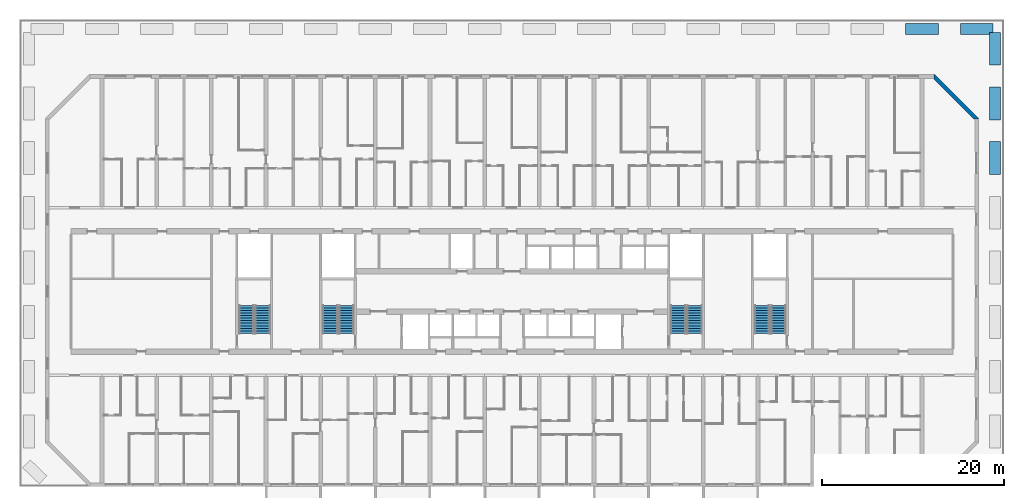
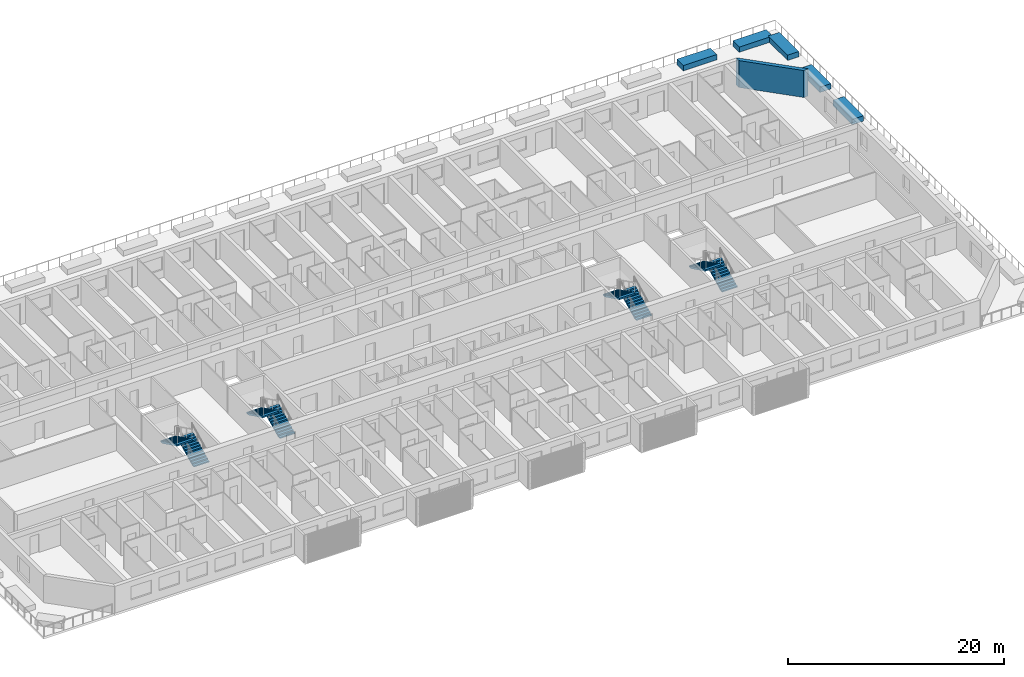
# One storey, part 19 of 23: 8 stair flights, 6 walls, 4 elements without a shape of their own.
"""IFC4 building model written with IfcOpenShell, lengths in metres."""

import ifcopenshell
import ifcopenshell.guid

model = None  # the IFC model being written
_history = None  # IfcOwnerHistory: only IFC2X3 demands one
_inside = {}  # id of a spatial element -> (the spatial element, [elements in it])
_under = {}  # id of a project, library or spatial element -> (it, [spatial elements below it])
_declared = {}  # id of a project -> (the project, [libraries it declares])
_typed = {}  # id of a type object -> (the type object, [elements of that type])
_made_of = {}  # id of a material, layer set ... -> (it, [elements and type objects made of it])


def new_model(schema):
    """Start an empty IFC model of exactly this schema.

    Asked for "IFC4X3", IfcOpenShell would pick the latest addendum, in which some entities
    have other attributes; the version numbers below select the first issue.
    IFC2X3 requires an IfcOwnerHistory on every rooted entity: one is made here for all.
    """
    global model, _history
    if schema == "IFC4X3":
        model = ifcopenshell.file(schema_version=(4, 3, 0, 0))
    else:
        model = ifcopenshell.file(schema=schema)
    _inside.clear()
    _under.clear()
    _declared.clear()
    _typed.clear()
    _made_of.clear()
    _history = None
    if model.schema == "IFC2X3":
        org = make("IfcOrganization", Name="unknown")
        user = make(
            "IfcPersonAndOrganization",
            ThePerson=make("IfcPerson", FamilyName="unknown"),
            TheOrganization=org,
        )
        app = make(
            "IfcApplication",
            ApplicationDeveloper=org,
            Version="unknown",
            ApplicationFullName="unknown",
            ApplicationIdentifier="unknown",
        )
        _history = make(
            "IfcOwnerHistory",
            OwningUser=user,
            OwningApplication=app,
            ChangeAction="ADDED",
            CreationDate=0,
        )
    return model


def make(cls, **values):
    """One entity of the class cls with the attributes given. An attribute that is None is left unset."""
    return model.create_entity(
        cls, **{name: value for name, value in values.items() if value is not None}
    )


def rooted(cls, **values):
    """An entity with a GlobalId (a new one), such as an element, a storey or a relation."""
    return make(cls, GlobalId=ifcopenshell.guid.new(), OwnerHistory=_history, **values)


def si_unit(unit_type, name, prefix=None):
    """IfcSIUnit, for example si_unit("LENGTHUNIT", "METRE", prefix="MILLI")."""
    return make("IfcSIUnit", UnitType=unit_type, Prefix=prefix, Name=name)


def assignment(units):
    """IfcUnitAssignment: the units of a project."""
    return None if units is None else make("IfcUnitAssignment", Units=units)


def point(xyz):
    """IfcCartesianPoint."""
    return None if xyz is None else make("IfcCartesianPoint", Coordinates=xyz)


def direction(xyz):
    """IfcDirection."""
    return None if xyz is None else make("IfcDirection", DirectionRatios=xyz)


def frame(location, z_axis=None, x_axis=None):
    """IfcAxis2Placement3D, a coordinate frame: its origin and axes. An axis left out is left unset."""
    return make(
        "IfcAxis2Placement3D",
        Location=point(location),
        Axis=direction(z_axis),
        RefDirection=direction(x_axis),
    )


def origin():
    """The frame at (0, 0, 0) with its axes left unset."""
    return frame((0.0, 0.0, 0.0))


def place(relative_to, where):
    """IfcLocalPlacement: puts the frame where relative to a parent placement (None: the world)."""
    return make(
        "IfcLocalPlacement", PlacementRelTo=relative_to, RelativePlacement=where
    )


def context(
    kind, dimensions, precision=None, world=None, true_north=None, identifier=None
):
    """IfcGeometricRepresentationContext, for example the 3D "Model" context."""
    return make(
        "IfcGeometricRepresentationContext",
        ContextIdentifier=identifier,
        ContextType=kind,
        CoordinateSpaceDimension=dimensions,
        Precision=precision,
        WorldCoordinateSystem=world,
        TrueNorth=true_north,
    )


def subcontext(parent, identifier, kind, view, scale=None):
    """IfcGeometricRepresentationSubContext, for example "Body" below "Model"."""
    return make(
        "IfcGeometricRepresentationSubContext",
        ContextIdentifier=identifier,
        ContextType=kind,
        ParentContext=parent,
        TargetScale=scale,
        TargetView=view,
    )


def project(units=None, contexts=None):
    """IfcProject with its units and contexts."""
    return rooted(
        "IfcProject",
        Name="project",
        RepresentationContexts=contexts,
        UnitsInContext=assignment(units),
    )


def spatial(cls, under=None, at=None, **own):
    """A site, building, storey or space (cls), placed at a placement, below another one or the project."""
    s = rooted(cls, ObjectPlacement=at, **own)
    if under is not None:
        _under.setdefault(under.id(), (under, []))[1].append(s)
    return s


def polyline(points):
    """IfcPolyline through the points."""
    return make("IfcPolyline", Points=[point(p) for p in points])


def outline(outer, holes=None, kind="AREA"):
    """IfcArbitraryClosedProfileDef: a profile drawn as a closed curve; with holes, ...WithVoids."""
    if holes is None:
        return make("IfcArbitraryClosedProfileDef", ProfileType=kind, OuterCurve=outer)
    return make(
        "IfcArbitraryProfileDefWithVoids",
        ProfileType=kind,
        OuterCurve=outer,
        InnerCurves=holes,
    )


def extrude(swept, where, along, depth):
    """IfcExtrudedAreaSolid: the profile swept, set in the frame where, extruded along a direction by depth."""
    return make(
        "IfcExtrudedAreaSolid",
        SweptArea=swept,
        Position=where,
        ExtrudedDirection=direction(along),
        Depth=depth,
    )


def shape(context_of_items, identifier, shape_type, items):
    """IfcShapeRepresentation: the items that make up one representation, for example the "Body"."""
    return make(
        "IfcShapeRepresentation",
        ContextOfItems=context_of_items,
        RepresentationIdentifier=identifier,
        RepresentationType=shape_type,
        Items=items,
    )


def source(mapping_origin, context_of_items, identifier, shape_type, items):
    """IfcRepresentationMap: a shape defined once, which mapped items show again and again."""
    return make(
        "IfcRepresentationMap",
        MappingOrigin=mapping_origin,
        MappedRepresentation=shape(context_of_items, identifier, shape_type, items),
    )


def transform(
    local_origin,
    x_axis=None,
    y_axis=None,
    z_axis=None,
    scale=None,
    scale2=None,
    scale3=None,
    uniform=True,
):
    """IfcCartesianTransformationOperator3D, or its non-uniform kind. x_axis, y_axis, z_axis: its Axis1, 2, 3."""
    if uniform:
        return make(
            "IfcCartesianTransformationOperator3D",
            Axis1=direction(x_axis),
            Axis2=direction(y_axis),
            LocalOrigin=point(local_origin),
            Scale=scale,
            Axis3=direction(z_axis),
        )
    return make(
        "IfcCartesianTransformationOperator3DnonUniform",
        Axis1=direction(x_axis),
        Axis2=direction(y_axis),
        LocalOrigin=point(local_origin),
        Scale=scale,
        Axis3=direction(z_axis),
        Scale2=scale2,
        Scale3=scale3,
    )


def mapped(mapping_source, mapping_target):
    """IfcMappedItem: shows the shape of a source again, moved by a transform."""
    return make(
        "IfcMappedItem", MappingSource=mapping_source, MappingTarget=mapping_target
    )


def material(Name=None, Category=None):
    """IfcMaterial."""
    return make("IfcMaterial", Name=Name, Category=Category)


def layer(
    of_material, thickness, ventilated=None, Name=None, Category=None, Priority=None
):
    """IfcMaterialLayer: one layer of a wall or slab, of a material (None: an air gap)."""
    return make(
        "IfcMaterialLayer",
        Material=of_material,
        LayerThickness=thickness,
        IsVentilated=ventilated,
        Name=Name,
        Category=Category,
        Priority=Priority,
    )


def layer_set(layers, Name=None):
    """IfcMaterialLayerSet."""
    return make("IfcMaterialLayerSet", MaterialLayers=layers, LayerSetName=Name)


def made_of(thing, what):
    """Note that an element or type object is made of a material, layer set ...; save() writes the relation."""
    if what is not None:
        _made_of.setdefault(what.id(), (what, []))[1].append(thing)
    return thing


def type_object(cls, material=None, **own):
    """A type object (cls), such as IfcWallType, which elements share."""
    return made_of(rooted(cls, **own), material)


def element(
    cls,
    number,
    at=None,
    inside=None,
    cuts=None,
    type_object=None,
    material=None,
    context=None,
    identifier="Body",
    shape_type=None,
    held_by="IfcProductDefinitionShape",
    body=None,
    shapes=None,
    **own,
):
    """One element of the class cls, such as IfcWall. Its Tag is "e" and its number.

    at: its placement. inside: the storey or other place that contains it. cuts: it is an
    opening in that element (IfcRelVoidsElement). A single representation is given by context,
    identifier, shape_type and body (its items); several are given by shapes. held_by: the class
    of the entity that holds the representations. save() writes the other relations.
    """
    e = rooted(cls, Tag="e%d" % number, ObjectPlacement=at, **own)
    if body is not None:
        shapes = [shape(context, identifier, shape_type, body)]
    if shapes is not None:
        e.Representation = make(held_by, Representations=shapes)
    if inside is not None:
        _inside.setdefault(inside.id(), (inside, []))[1].append(e)
    if cuts is not None:
        rooted(
            "IfcRelVoidsElement", RelatingBuildingElement=cuts, RelatedOpeningElement=e
        )
    if type_object is not None:
        _typed.setdefault(type_object.id(), (type_object, []))[1].append(e)
    return made_of(e, material)


def aggregate(whole, parts):
    """IfcRelAggregates: a whole, such as a stair, and the parts it consists of."""
    return rooted("IfcRelAggregates", RelatingObject=whole, RelatedObjects=parts)


def save(model, path):
    """Write the relations noted so far, then the file.

    IfcRelAggregates (storeys below a building ...), IfcRelContainedInSpatialStructure (elements
    in a storey), IfcRelDefinesByType, IfcRelAssociatesMaterial and IfcRelDeclares: one each for
    every whole, place, type object, material and project.
    """
    for whole, parts in _under.values():
        aggregate(whole, parts)
    for where, things in _inside.values():
        rooted(
            "IfcRelContainedInSpatialStructure",
            RelatedElements=things,
            RelatingStructure=where,
        )
    for kind, things in _typed.values():
        rooted("IfcRelDefinesByType", RelatedObjects=things, RelatingType=kind)
    for what, things in _made_of.values():
        rooted("IfcRelAssociatesMaterial", RelatedObjects=things, RelatingMaterial=what)
    for by, libraries in _declared.values():
        rooted("IfcRelDeclares", RelatingContext=by, RelatedDefinitions=libraries)
    model.write(path)


model = new_model("IFC4")

# Units and contexts
model_context = context("Model", 3, precision=1e-05, world=origin(), true_north=direction((0.0, 1.0)))
body_context = subcontext(model_context, "Body", "Model", "MODEL_VIEW")
ifc_project = project(units=[si_unit("LENGTHUNIT", "METRE"), si_unit("AREAUNIT", "SQUARE_METRE"), si_unit("VOLUMEUNIT", "CUBIC_METRE"), si_unit("PLANEANGLEUNIT", "RADIAN"), si_unit("MASSUNIT", "GRAM", prefix="KILO")], contexts=[model_context])

# Site, building, storey
site_placement = place(None, origin())
site = spatial("IfcSite", under=ifc_project, at=site_placement, CompositionType="ELEMENT")
building_placement = place(site_placement, origin())
building = spatial("IfcBuilding", under=site, at=building_placement, Name="Poui Terraces", CompositionType="ELEMENT")
storey_placement = place(building_placement, frame((0.0, 0.0, 23.39990234375)))
storey = spatial("IfcBuildingStorey", under=building, at=storey_placement, Name="L05", CompositionType="ELEMENT", Elevation=23.39990234375)

# Walls
ifc_material_1 = material(Name="Precast concrete 40 MPa", Category="concrete")
ifc_layer_1 = layer(ifc_material_1, 0.39990234375)
ifc_layer_set_1 = layer_set([ifc_layer_1], Name="Precast concrete 40 MPa")
wall_type_1 = type_object("IfcWallType", Name="TERRACOTTA CLAD CHAMFER WALL 400", PredefinedType="STANDARD", material=ifc_layer_set_1)
wall_placement = place(storey_placement, origin())
element("IfcWall", 1, at=wall_placement, inside=storey, type_object=wall_type_1, Name="CHAMFER WALL CH03", PredefinedType="STANDARD", context=body_context, shape_type="SweptSolid", body=[
    extrude(outline(polyline([(102.199951171875, 40.1171875), (102.199951171875, 40.199951171875), (97.39990234375, 45.0), (97.317138671875, 45.0), (97.317138671875, 44.51708984375), (101.71728515625, 40.1171875), (102.199951171875, 40.1171875)])), origin(), (0.0, 0.0, 1.0), 3.050048828125),
])
ifc_layer_2 = layer(ifc_material_1, 1.199951171875)
ifc_layer_set_2 = layer_set([ifc_layer_2], Name="Precast concrete 40 MPa")
wall_type_2 = type_object("IfcWallType", Name="PLANTER 600", PredefinedType="USERDEFINED", material=ifc_layer_set_2)
shared_shape_1 = source(origin(), body_context, "Body", "SweptSolid", [
    extrude(outline(polyline([(0.0, 0.0), (3.60009765625, 0.0), (3.60009765625, 1.2001953125), (0.0, 1.2001953125), (0.0, 0.0)])), origin(), (0.0, 0.0, 1.0), 0.60009765625),
])
for number, where, name in (
    (2, (94.199951171875, 49.419921875, 0.0), "PLANTER"),
    (3, (100.199951171875, 49.419921875, 0.0), "PLANTER"),
):
    element("IfcWall", number, at=place(storey_placement, frame(where)), inside=storey, type_object=wall_type_2, Name=name, ObjectType="PLANTER", PredefinedType="USERDEFINED", context=body_context, shape_type="MappedRepresentation", body=[
        mapped(shared_shape_1, transform((0.0, 0.0, 0.0))),
    ])
shared_shape_2 = source(origin(), body_context, "Body", "SweptSolid", [
    extrude(outline(polyline([(0.0, 0.0), (1.2001953125, 0.0), (1.2001953125, 3.599853515625), (0.0, 3.599853515625), (0.0, 0.0)])), origin(), (0.0, 0.0, 1.0), 0.60009765625),
])
for number, where, name in (
    (4, (103.419921875, 46.0400390625, 0.0), "PLANTER"),
    (5, (103.419921875, 40.0400390625, 0.0), "PLANTER"),
    (6, (103.419921875, 34.0400390625, 0.0), "PLANTER"),
):
    element("IfcWall", number, at=place(storey_placement, frame(where)), inside=storey, type_object=wall_type_2, Name=name, ObjectType="PLANTER", PredefinedType="USERDEFINED", context=body_context, shape_type="MappedRepresentation", body=[
        mapped(shared_shape_2, transform((0.0, 0.0, 0.0))),
    ])

# Stair, stair flights
ifc_material_2 = material(Name="Concrete 80 MPa", Category="concrete")
stair_type = type_object("IfcStairType", Name="EXIT STAIR 1650 80 MPA", PredefinedType="HALF_TURN_STAIR", material=ifc_material_2)
stair_1_placement = place(storey_placement, origin())
stair_1 = element("IfcStair", 7, at=stair_1_placement, inside=storey, type_object=stair_type, Name="L05 CORE STAIR EAST", PredefinedType="HALF_TURN_STAIR")
ifc_layer_3 = layer(ifc_material_2, 0.14990234375)
ifc_layer_set_3 = layer_set([ifc_layer_3], Name="Concrete 80 MPa")
stair_flight_type = type_object("IfcStairFlightType", Name="STAIR FLIGHT 12 RISERS 138 RISE 80 MPA", PredefinedType="STRAIGHT", material=ifc_layer_set_3)
stair_flight_1_placement = place(storey_placement, frame((71.050048828125, 16.60009765625, 0.0), z_axis=(0.0, 0.0, 1.0), x_axis=(0.0, 1.0, 0.0)))
stair_flight_1 = element("IfcStairFlight", 8, at=stair_flight_1_placement, type_object=stair_flight_type, Name="ST-CE flight 1", NumberOfRisers=12, NumberOfTreads=11, PredefinedType="STRAIGHT", RiserHeight=0.1375, TreadLength=0.28, context=body_context, shape_type="SweptSolid", body=[
    extrude(outline(polyline([(0.0, 0.0), (0.0, 0.137451171875), (0.280029296875, 0.137451171875), (0.280029296875, 0.27490234375), (0.56005859375, 0.27490234375), (0.56005859375, 0.41259765625), (0.840087890625, 0.41259765625), (0.840087890625, 0.550048828125), (1.1201171875, 0.550048828125), (1.1201171875, 0.6875), (1.39990234375, 0.6875), (1.39990234375, 0.824951171875), (1.679931640625, 0.824951171875), (1.679931640625, 0.96240234375), (1.9599609375, 0.96240234375), (1.9599609375, 1.10009765625), (2.239990234375, 1.10009765625), (2.239990234375, 1.237548828125), (2.52001953125, 1.237548828125), (2.52001953125, 1.375), (2.800048828125, 1.375), (2.800048828125, 1.512451171875), (3.080078125, 1.512451171875), (3.080078125, 1.64990234375), (3.080078125, 1.345458984375), (0.340087890625, 0.0), (0.0, 0.0)])), frame((0.0, 0.824951171875, 0.0), z_axis=(0.0, -1.0, 0.0), x_axis=(1.0, 0.0, 0.0)), (0.0, 0.0, 1.0), 1.64990234375),
])
stair_flight_2_placement = place(storey_placement, frame((69.25, 19.679931640625, 1.650146484375), z_axis=(0.0, 0.0, 1.0), x_axis=(0.0, -1.0, 0.0)))
stair_flight_2 = element("IfcStairFlight", 9, at=stair_flight_2_placement, type_object=stair_flight_type, Name="ST-CE flight 2", NumberOfRisers=12, NumberOfTreads=11, PredefinedType="STRAIGHT", RiserHeight=0.1375, TreadLength=0.28, context=body_context, shape_type="SweptSolid", body=[
    extrude(outline(polyline([(0.0, 0.0), (0.0, 0.137451171875), (0.280029296875, 0.137451171875), (0.280029296875, 0.27490234375), (0.56005859375, 0.27490234375), (0.56005859375, 0.41259765625), (0.840087890625, 0.41259765625), (0.840087890625, 0.550048828125), (1.1201171875, 0.550048828125), (1.1201171875, 0.6875), (1.39990234375, 0.6875), (1.39990234375, 0.824951171875), (1.679931640625, 0.824951171875), (1.679931640625, 0.96240234375), (1.9599609375, 0.96240234375), (1.9599609375, 1.10009765625), (2.239990234375, 1.10009765625), (2.239990234375, 1.237548828125), (2.52001953125, 1.237548828125), (2.52001953125, 1.375), (2.800048828125, 1.375), (2.800048828125, 1.512451171875), (3.080078125, 1.512451171875), (3.080078125, 1.64990234375), (3.080078125, 1.345458984375), (0.340087890625, 0.0), (0.0, 0.0)])), frame((0.0, 0.824951171875, 0.0), z_axis=(0.0, -1.0, 0.0), x_axis=(1.0, 0.0, 0.0)), (0.0, 0.0, 1.0), 1.64990234375),
])
aggregate(stair_1, [stair_flight_1, stair_flight_2])

stair_2_placement = place(storey_placement, origin())
stair_2 = element("IfcStair", 10, at=stair_2_placement, inside=storey, type_object=stair_type, Name="L05 CORE STAIR WEST", PredefinedType="HALF_TURN_STAIR")
stair_flight_3_placement = place(storey_placement, frame((32.85009765625, 16.60009765625, 0.0), z_axis=(0.0, 0.0, 1.0), x_axis=(0.0, 1.0, 0.0)))
stair_flight_3 = element("IfcStairFlight", 11, at=stair_flight_3_placement, type_object=stair_flight_type, Name="ST-CW flight 1", NumberOfRisers=12, NumberOfTreads=11, PredefinedType="STRAIGHT", RiserHeight=0.1375, TreadLength=0.28, context=body_context, shape_type="SweptSolid", body=[
    extrude(outline(polyline([(0.0, 0.0), (0.0, 0.137451171875), (0.280029296875, 0.137451171875), (0.280029296875, 0.27490234375), (0.56005859375, 0.27490234375), (0.56005859375, 0.41259765625), (0.840087890625, 0.41259765625), (0.840087890625, 0.550048828125), (1.1201171875, 0.550048828125), (1.1201171875, 0.6875), (1.39990234375, 0.6875), (1.39990234375, 0.824951171875), (1.679931640625, 0.824951171875), (1.679931640625, 0.96240234375), (1.9599609375, 0.96240234375), (1.9599609375, 1.10009765625), (2.239990234375, 1.10009765625), (2.239990234375, 1.237548828125), (2.52001953125, 1.237548828125), (2.52001953125, 1.375), (2.800048828125, 1.375), (2.800048828125, 1.512451171875), (3.080078125, 1.512451171875), (3.080078125, 1.64990234375), (3.080078125, 1.345458984375), (0.340087890625, 0.0), (0.0, 0.0)])), frame((0.0, 0.824951171875, 0.0), z_axis=(0.0, -1.0, 0.0), x_axis=(1.0, 0.0, 0.0)), (0.0, 0.0, 1.0), 1.64990234375),
])
stair_flight_4_placement = place(storey_placement, frame((31.050048828125, 19.679931640625, 1.650146484375), z_axis=(0.0, 0.0, 1.0), x_axis=(0.0, -1.0, 0.0)))
stair_flight_4 = element("IfcStairFlight", 12, at=stair_flight_4_placement, type_object=stair_flight_type, Name="ST-CW flight 2", NumberOfRisers=12, NumberOfTreads=11, PredefinedType="STRAIGHT", RiserHeight=0.1375, TreadLength=0.28, context=body_context, shape_type="SweptSolid", body=[
    extrude(outline(polyline([(0.0, 0.0), (0.0, 0.137451171875), (0.280029296875, 0.137451171875), (0.280029296875, 0.27490234375), (0.56005859375, 0.27490234375), (0.56005859375, 0.41259765625), (0.840087890625, 0.41259765625), (0.840087890625, 0.550048828125), (1.1201171875, 0.550048828125), (1.1201171875, 0.6875), (1.39990234375, 0.6875), (1.39990234375, 0.824951171875), (1.679931640625, 0.824951171875), (1.679931640625, 0.96240234375), (1.9599609375, 0.96240234375), (1.9599609375, 1.10009765625), (2.239990234375, 1.10009765625), (2.239990234375, 1.237548828125), (2.52001953125, 1.237548828125), (2.52001953125, 1.375), (2.800048828125, 1.375), (2.800048828125, 1.512451171875), (3.080078125, 1.512451171875), (3.080078125, 1.64990234375), (3.080078125, 1.345458984375), (0.340087890625, 0.0), (0.0, 0.0)])), frame((0.0, 0.824951171875, 0.0), z_axis=(0.0, -1.0, 0.0), x_axis=(1.0, 0.0, 0.0)), (0.0, 0.0, 1.0), 1.64990234375),
])
aggregate(stair_2, [stair_flight_3, stair_flight_4])

stair_3_placement = place(storey_placement, origin())
stair_3 = element("IfcStair", 13, at=stair_3_placement, inside=storey, type_object=stair_type, Name="L05 TIP STAIR EAST", PredefinedType="HALF_TURN_STAIR")
stair_flight_5_placement = place(storey_placement, frame((80.25, 16.60009765625, 0.0), z_axis=(0.0, 0.0, 1.0), x_axis=(0.0, 1.0, 0.0)))
stair_flight_5 = element("IfcStairFlight", 14, at=stair_flight_5_placement, type_object=stair_flight_type, Name="ST-E flight 1", NumberOfRisers=12, NumberOfTreads=11, PredefinedType="STRAIGHT", RiserHeight=0.1375, TreadLength=0.28, context=body_context, shape_type="SweptSolid", body=[
    extrude(outline(polyline([(0.0, 0.0), (0.0, 0.137451171875), (0.280029296875, 0.137451171875), (0.280029296875, 0.27490234375), (0.56005859375, 0.27490234375), (0.56005859375, 0.41259765625), (0.840087890625, 0.41259765625), (0.840087890625, 0.550048828125), (1.1201171875, 0.550048828125), (1.1201171875, 0.6875), (1.39990234375, 0.6875), (1.39990234375, 0.824951171875), (1.679931640625, 0.824951171875), (1.679931640625, 0.96240234375), (1.9599609375, 0.96240234375), (1.9599609375, 1.10009765625), (2.239990234375, 1.10009765625), (2.239990234375, 1.237548828125), (2.52001953125, 1.237548828125), (2.52001953125, 1.375), (2.800048828125, 1.375), (2.800048828125, 1.512451171875), (3.080078125, 1.512451171875), (3.080078125, 1.64990234375), (3.080078125, 1.345458984375), (0.340087890625, 0.0), (0.0, 0.0)])), frame((0.0, 0.824951171875, 0.0), z_axis=(0.0, -1.0, 0.0), x_axis=(1.0, 0.0, 0.0)), (0.0, 0.0, 1.0), 1.64990234375),
])
stair_flight_6_placement = place(storey_placement, frame((78.449951171875, 19.679931640625, 1.650146484375), z_axis=(0.0, 0.0, 1.0), x_axis=(0.0, -1.0, 0.0)))
stair_flight_6 = element("IfcStairFlight", 15, at=stair_flight_6_placement, type_object=stair_flight_type, Name="ST-E flight 2", NumberOfRisers=12, NumberOfTreads=11, PredefinedType="STRAIGHT", RiserHeight=0.1375, TreadLength=0.28, context=body_context, shape_type="SweptSolid", body=[
    extrude(outline(polyline([(0.0, 0.0), (0.0, 0.137451171875), (0.280029296875, 0.137451171875), (0.280029296875, 0.27490234375), (0.56005859375, 0.27490234375), (0.56005859375, 0.41259765625), (0.840087890625, 0.41259765625), (0.840087890625, 0.550048828125), (1.1201171875, 0.550048828125), (1.1201171875, 0.6875), (1.39990234375, 0.6875), (1.39990234375, 0.824951171875), (1.679931640625, 0.824951171875), (1.679931640625, 0.96240234375), (1.9599609375, 0.96240234375), (1.9599609375, 1.10009765625), (2.239990234375, 1.10009765625), (2.239990234375, 1.237548828125), (2.52001953125, 1.237548828125), (2.52001953125, 1.375), (2.800048828125, 1.375), (2.800048828125, 1.512451171875), (3.080078125, 1.512451171875), (3.080078125, 1.64990234375), (3.080078125, 1.345458984375), (0.340087890625, 0.0), (0.0, 0.0)])), frame((0.0, 0.824951171875, 0.0), z_axis=(0.0, -1.0, 0.0), x_axis=(1.0, 0.0, 0.0)), (0.0, 0.0, 1.0), 1.64990234375),
])
aggregate(stair_3, [stair_flight_5, stair_flight_6])

stair_4_placement = place(storey_placement, origin())
stair_4 = element("IfcStair", 16, at=stair_4_placement, inside=storey, type_object=stair_type, Name="L05 TIP STAIR WEST", PredefinedType="HALF_TURN_STAIR")
stair_flight_7_placement = place(storey_placement, frame((23.64990234375, 16.60009765625, 0.0), z_axis=(0.0, 0.0, 1.0), x_axis=(0.0, 1.0, 0.0)))
stair_flight_7 = element("IfcStairFlight", 17, at=stair_flight_7_placement, type_object=stair_flight_type, Name="ST-W flight 1", NumberOfRisers=12, NumberOfTreads=11, PredefinedType="STRAIGHT", RiserHeight=0.1375, TreadLength=0.28, context=body_context, shape_type="SweptSolid", body=[
    extrude(outline(polyline([(0.0, 0.0), (0.0, 0.137451171875), (0.280029296875, 0.137451171875), (0.280029296875, 0.27490234375), (0.56005859375, 0.27490234375), (0.56005859375, 0.41259765625), (0.840087890625, 0.41259765625), (0.840087890625, 0.550048828125), (1.1201171875, 0.550048828125), (1.1201171875, 0.6875), (1.39990234375, 0.6875), (1.39990234375, 0.824951171875), (1.679931640625, 0.824951171875), (1.679931640625, 0.96240234375), (1.9599609375, 0.96240234375), (1.9599609375, 1.10009765625), (2.239990234375, 1.10009765625), (2.239990234375, 1.237548828125), (2.52001953125, 1.237548828125), (2.52001953125, 1.375), (2.800048828125, 1.375), (2.800048828125, 1.512451171875), (3.080078125, 1.512451171875), (3.080078125, 1.64990234375), (3.080078125, 1.345458984375), (0.340087890625, 0.0), (0.0, 0.0)])), frame((0.0, 0.824951171875, 0.0), z_axis=(0.0, -1.0, 0.0), x_axis=(1.0, 0.0, 0.0)), (0.0, 0.0, 1.0), 1.64990234375),
])
stair_flight_8_placement = place(storey_placement, frame((21.85009765625, 19.679931640625, 1.650146484375), z_axis=(0.0, 0.0, 1.0), x_axis=(0.0, -1.0, 0.0)))
stair_flight_8 = element("IfcStairFlight", 18, at=stair_flight_8_placement, type_object=stair_flight_type, Name="ST-W flight 2", NumberOfRisers=12, NumberOfTreads=11, PredefinedType="STRAIGHT", RiserHeight=0.1375, TreadLength=0.28, context=body_context, shape_type="SweptSolid", body=[
    extrude(outline(polyline([(0.0, 0.0), (0.0, 0.137451171875), (0.280029296875, 0.137451171875), (0.280029296875, 0.27490234375), (0.56005859375, 0.27490234375), (0.56005859375, 0.41259765625), (0.840087890625, 0.41259765625), (0.840087890625, 0.550048828125), (1.1201171875, 0.550048828125), (1.1201171875, 0.6875), (1.39990234375, 0.6875), (1.39990234375, 0.824951171875), (1.679931640625, 0.824951171875), (1.679931640625, 0.96240234375), (1.9599609375, 0.96240234375), (1.9599609375, 1.10009765625), (2.239990234375, 1.10009765625), (2.239990234375, 1.237548828125), (2.52001953125, 1.237548828125), (2.52001953125, 1.375), (2.800048828125, 1.375), (2.800048828125, 1.512451171875), (3.080078125, 1.512451171875), (3.080078125, 1.64990234375), (3.080078125, 1.345458984375), (0.340087890625, 0.0), (0.0, 0.0)])), frame((0.0, 0.824951171875, 0.0), z_axis=(0.0, -1.0, 0.0), x_axis=(1.0, 0.0, 0.0)), (0.0, 0.0, 1.0), 1.64990234375),
])
aggregate(stair_4, [stair_flight_7, stair_flight_8])

save(model, "model.ifc")
